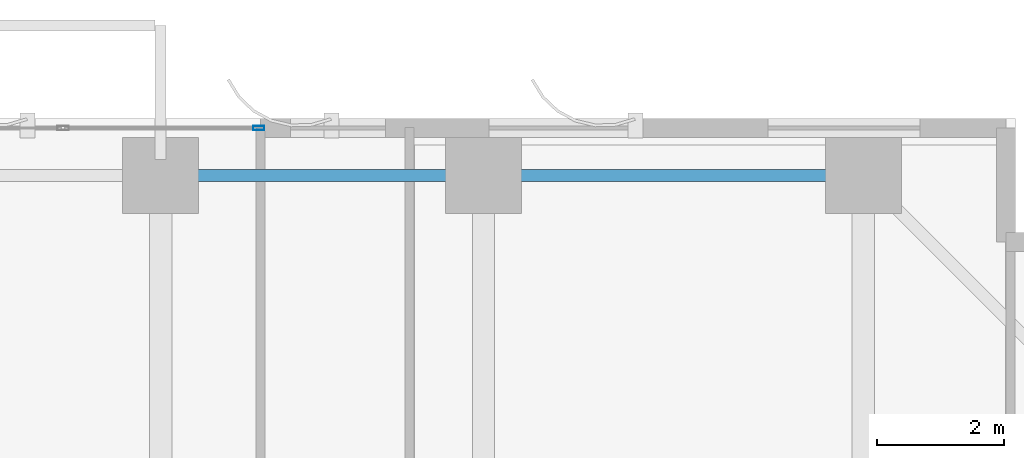
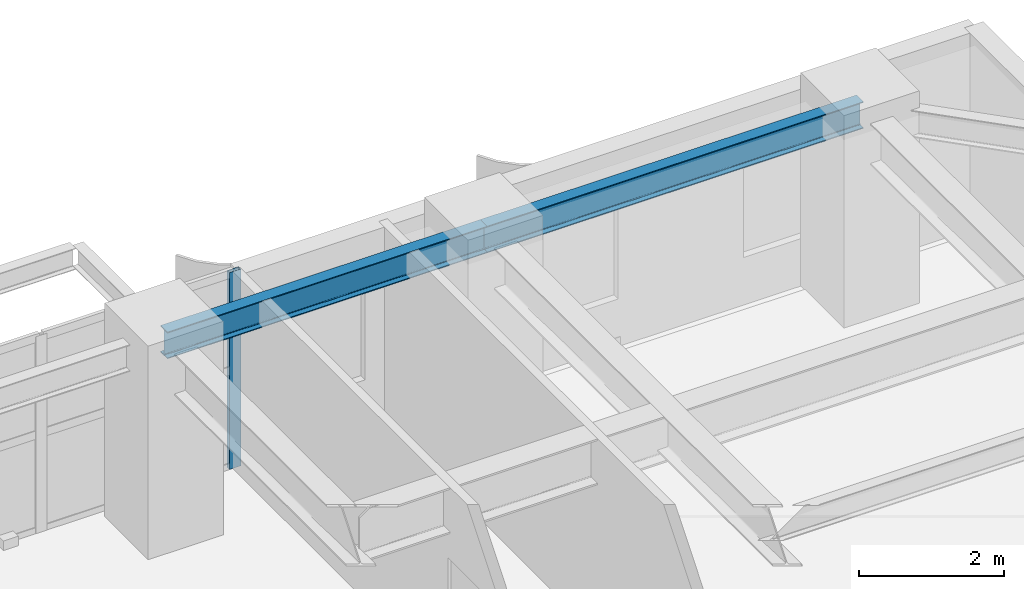
# One storey, part 14 of 26: 2 beams, 1 member, 1 element without a shape of its own.
"""IFC4 building model written with IfcOpenShell, lengths in metres."""

from ifc_helpers import new_model, si_unit, direction, frame, origin, origin_2d, place, context, subcontext, project, spatial, hollow_rectangle, i_section, extrude, source, transform, mapped, material, layer, layer_set, material_profile, profile_set, type_object, element, aggregate, save


model = new_model("IFC4")

# Units and contexts
model_context = context("Model", 3, precision=1e-05, world=origin(), true_north=direction((0.0, 1.0)))
body_context = subcontext(model_context, "Body", "Model", "MODEL_VIEW")
ifc_project = project(units=[si_unit("LENGTHUNIT", "METRE"), si_unit("AREAUNIT", "SQUARE_METRE"), si_unit("VOLUMEUNIT", "CUBIC_METRE"), si_unit("PLANEANGLEUNIT", "RADIAN"), si_unit("MASSUNIT", "GRAM", prefix="KILO")], contexts=[model_context])

# Site, building, storey
site_placement = place(None, origin())
site = spatial("IfcSite", under=ifc_project, at=site_placement, CompositionType="ELEMENT")
building_placement = place(site_placement, origin())
building = spatial("IfcBuilding", under=site, at=building_placement, Name="Khoralis Quay Care Tower", CompositionType="ELEMENT")
storey_placement = place(building_placement, frame((0.0, 0.0, 26.10009765625)))
storey = spatial("IfcBuildingStorey", under=building, at=storey_placement, Name="L06", CompositionType="ELEMENT", Elevation=26.10009765625)

# Beams
ifc_material_1 = material(Name="Steel S355", Category="steel")
ifc_material_profile_1 = material_profile(ifc_material_1, i_section(OverallWidth=0.18994140625, OverallDepth=0.449951171875, WebThickness=0.009521484375, FlangeThickness=0.0146484375, FilletRadius=0.02099609375, at=origin_2d()), Name="Steel S355")
ifc_profile_set_1 = profile_set([ifc_material_profile_1], Name="Steel S355")
beam_type = type_object("IfcBeamType", Name="BM-IPE450", PredefinedType="SPANDREL", material=ifc_profile_set_1)
shared_shape_1 = source(origin(), body_context, "Body", "SweptSolid", [
    extrude(i_section(OverallWidth=0.18994140625, OverallDepth=0.449951171875, WebThickness=0.009521484375, FlangeThickness=0.0146484375, FilletRadius=0.02099609375, at=origin_2d()), origin(), (0.0, 0.0, 1.0), 6.0),
])
beam_1_placement = place(storey_placement, frame((36.0, 47.10009765625, 3.094970703125), z_axis=(1.0, 0.0, 0.0), x_axis=(0.0, 1.0, 0.0)))
element("IfcBeam", 1, at=beam_1_placement, inside=storey, type_object=beam_type, Name="BM-TSP-L06-12", PredefinedType="SPANDREL", context=body_context, shape_type="MappedRepresentation", body=[
    mapped(shared_shape_1, transform((0.0, 0.0, 0.0), scale=1.0)),
])
shared_shape_2 = source(origin(), body_context, "Body", "SweptSolid", [
    extrude(i_section(OverallWidth=0.18994140625, OverallDepth=0.449951171875, WebThickness=0.009521484375, FlangeThickness=0.0146484375, FilletRadius=0.02099609375, at=origin_2d()), origin(), (0.0, 0.0, 1.0), 5.10009765625),
])
beam_2_placement = place(storey_placement, frame((30.89990234375, 47.10009765625, 3.094970703125), z_axis=(1.0, 0.0, 0.0), x_axis=(0.0, 1.0, 0.0)))
element("IfcBeam", 2, at=beam_2_placement, inside=storey, type_object=beam_type, Name="BM-TSP-L06-11", PredefinedType="SPANDREL", context=body_context, shape_type="MappedRepresentation", body=[
    mapped(shared_shape_2, transform((0.0, 0.0, 0.0), scale=1.0)),
])

# Curtain wall, member
ifc_material_2 = material(Name="Pale anodised aluminium", Category="aluminium")
ifc_layer = layer(ifc_material_2, 0.179931640625)
ifc_layer_set = layer_set([ifc_layer], Name="Pale anodised aluminium")
curtain_wall_type = type_object("IfcCurtainWallType", Name="CW-SYS-Z1", PredefinedType="NOTDEFINED", material=ifc_layer_set)
curtain_wall_placement = place(storey_placement, origin())
curtain_wall = element("IfcCurtainWall", 3, at=curtain_wall_placement, inside=storey, type_object=curtain_wall_type, Name="L06 Unitised Curtain Wall CW-L06-P1-E10", PredefinedType="NOTDEFINED")
ifc_material_profile_2 = material_profile(ifc_material_2, hollow_rectangle(XDim=0.06494140625, YDim=0.179931640625, WallThickness=0.00390625, at=origin_2d()), Name="Pale anodised aluminium")
ifc_profile_set_2 = profile_set([ifc_material_profile_2], Name="Pale anodised aluminium")
member_type = type_object("IfcMemberType", Name="CW-MUL-180", PredefinedType="MULLION", material=ifc_profile_set_2)
shared_shape_3 = source(origin(), body_context, "Body", "SweptSolid", [
    extrude(hollow_rectangle(XDim=0.06494140625, YDim=0.179931640625, WallThickness=0.00390625, at=origin_2d()), origin(), (0.0, 0.0, 1.0), 3.31982421875),
])
member_placement = place(storey_placement, frame((32.449951171875, 47.85009765625, 0.0), z_axis=(0.0, 0.0, 1.0), x_axis=(0.0, -1.0, 0.0)))
member = element("IfcMember", 4, at=member_placement, type_object=member_type, Name="CW1 mullion 1", PredefinedType="MULLION", context=body_context, shape_type="MappedRepresentation", body=[
    mapped(shared_shape_3, transform((0.0, 0.0, 0.0), scale=1.0)),
])
aggregate(curtain_wall, [member])

save(model, "model.ifc")
